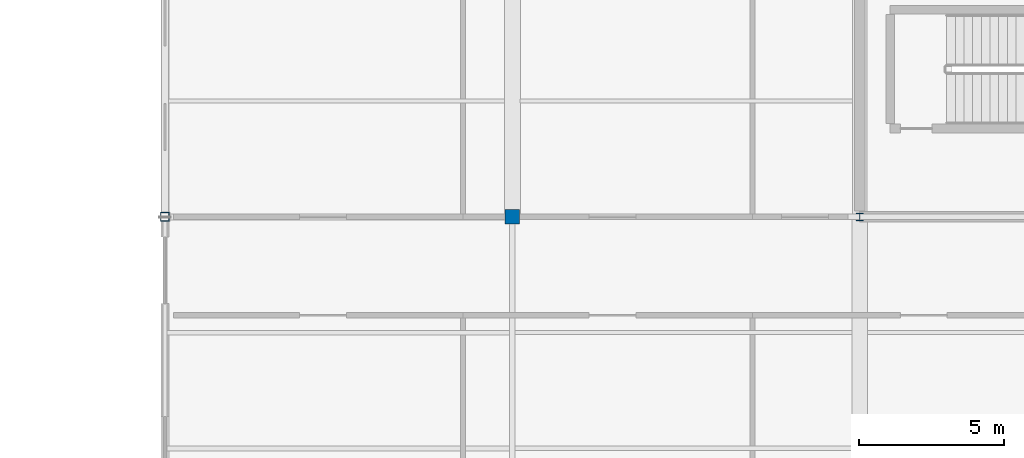
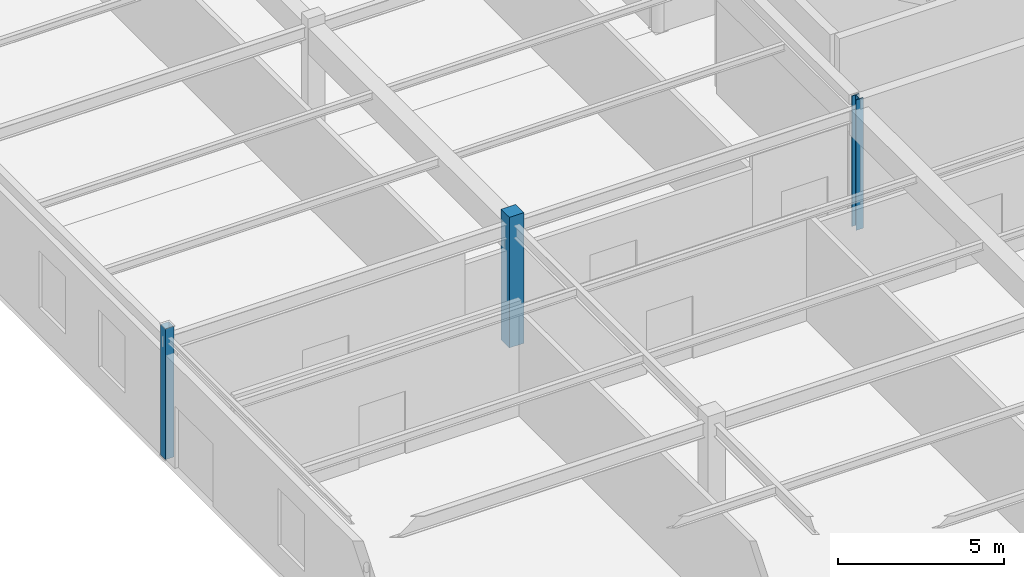
# One storey, part 20 of 199: 3 columns.
"""IFC4 building model written with IfcOpenShell, lengths in metres."""

import ifcopenshell
import ifcopenshell.guid

model = None  # the IFC model being written
_history = None  # IfcOwnerHistory: only IFC2X3 demands one
_inside = {}  # id of a spatial element -> (the spatial element, [elements in it])
_under = {}  # id of a project, library or spatial element -> (it, [spatial elements below it])
_declared = {}  # id of a project -> (the project, [libraries it declares])
_typed = {}  # id of a type object -> (the type object, [elements of that type])
_made_of = {}  # id of a material, layer set ... -> (it, [elements and type objects made of it])


def new_model(schema):
    """Start an empty IFC model of exactly this schema.

    Asked for "IFC4X3", IfcOpenShell would pick the latest addendum, in which some entities
    have other attributes; the version numbers below select the first issue.
    IFC2X3 requires an IfcOwnerHistory on every rooted entity: one is made here for all.
    """
    global model, _history
    if schema == "IFC4X3":
        model = ifcopenshell.file(schema_version=(4, 3, 0, 0))
    else:
        model = ifcopenshell.file(schema=schema)
    _inside.clear()
    _under.clear()
    _declared.clear()
    _typed.clear()
    _made_of.clear()
    _history = None
    if model.schema == "IFC2X3":
        org = make("IfcOrganization", Name="unknown")
        user = make(
            "IfcPersonAndOrganization",
            ThePerson=make("IfcPerson", FamilyName="unknown"),
            TheOrganization=org,
        )
        app = make(
            "IfcApplication",
            ApplicationDeveloper=org,
            Version="unknown",
            ApplicationFullName="unknown",
            ApplicationIdentifier="unknown",
        )
        _history = make(
            "IfcOwnerHistory",
            OwningUser=user,
            OwningApplication=app,
            ChangeAction="ADDED",
            CreationDate=0,
        )
    return model


def make(cls, **values):
    """One entity of the class cls with the attributes given. An attribute that is None is left unset."""
    return model.create_entity(
        cls, **{name: value for name, value in values.items() if value is not None}
    )


def rooted(cls, **values):
    """An entity with a GlobalId (a new one), such as an element, a storey or a relation."""
    return make(cls, GlobalId=ifcopenshell.guid.new(), OwnerHistory=_history, **values)


def si_unit(unit_type, name, prefix=None):
    """IfcSIUnit, for example si_unit("LENGTHUNIT", "METRE", prefix="MILLI")."""
    return make("IfcSIUnit", UnitType=unit_type, Prefix=prefix, Name=name)


def assignment(units):
    """IfcUnitAssignment: the units of a project."""
    return None if units is None else make("IfcUnitAssignment", Units=units)


def point(xyz):
    """IfcCartesianPoint."""
    return None if xyz is None else make("IfcCartesianPoint", Coordinates=xyz)


def direction(xyz):
    """IfcDirection."""
    return None if xyz is None else make("IfcDirection", DirectionRatios=xyz)


def frame(location, z_axis=None, x_axis=None):
    """IfcAxis2Placement3D, a coordinate frame: its origin and axes. An axis left out is left unset."""
    return make(
        "IfcAxis2Placement3D",
        Location=point(location),
        Axis=direction(z_axis),
        RefDirection=direction(x_axis),
    )


def frame_2d(location, x_axis=None):
    """IfcAxis2Placement2D, a coordinate frame in the plane: its origin and x axis."""
    return make(
        "IfcAxis2Placement2D", Location=point(location), RefDirection=direction(x_axis)
    )


def origin():
    """The frame at (0, 0, 0) with its axes left unset."""
    return frame((0.0, 0.0, 0.0))


def origin_2d():
    """The frame at (0, 0) in the plane with its x axis left unset."""
    return frame_2d((0.0, 0.0))


def place(relative_to, where):
    """IfcLocalPlacement: puts the frame where relative to a parent placement (None: the world)."""
    return make(
        "IfcLocalPlacement", PlacementRelTo=relative_to, RelativePlacement=where
    )


def context(
    kind, dimensions, precision=None, world=None, true_north=None, identifier=None
):
    """IfcGeometricRepresentationContext, for example the 3D "Model" context."""
    return make(
        "IfcGeometricRepresentationContext",
        ContextIdentifier=identifier,
        ContextType=kind,
        CoordinateSpaceDimension=dimensions,
        Precision=precision,
        WorldCoordinateSystem=world,
        TrueNorth=true_north,
    )


def subcontext(parent, identifier, kind, view, scale=None):
    """IfcGeometricRepresentationSubContext, for example "Body" below "Model"."""
    return make(
        "IfcGeometricRepresentationSubContext",
        ContextIdentifier=identifier,
        ContextType=kind,
        ParentContext=parent,
        TargetScale=scale,
        TargetView=view,
    )


def project(units=None, contexts=None):
    """IfcProject with its units and contexts."""
    return rooted(
        "IfcProject",
        Name="project",
        RepresentationContexts=contexts,
        UnitsInContext=assignment(units),
    )


def spatial(cls, under=None, at=None, **own):
    """A site, building, storey or space (cls), placed at a placement, below another one or the project."""
    s = rooted(cls, ObjectPlacement=at, **own)
    if under is not None:
        _under.setdefault(under.id(), (under, []))[1].append(s)
    return s


def profile(cls, at=None, kind="AREA", **sizes):
    """A parametric profile (cls). Its sizes go by their IFC names, for example OverallWidth=200.0."""
    return make(cls, ProfileType=kind, Position=at, **sizes)


def rectangle(**sizes):
    """IfcRectangleProfileDef."""
    return profile("IfcRectangleProfileDef", **sizes)


def hollow_rectangle(**sizes):
    """IfcRectangleHollowProfileDef."""
    return profile("IfcRectangleHollowProfileDef", **sizes)


def i_section(**sizes):
    """IfcIShapeProfileDef."""
    return profile("IfcIShapeProfileDef", **sizes)


def extrude(swept, where, along, depth):
    """IfcExtrudedAreaSolid: the profile swept, set in the frame where, extruded along a direction by depth."""
    return make(
        "IfcExtrudedAreaSolid",
        SweptArea=swept,
        Position=where,
        ExtrudedDirection=direction(along),
        Depth=depth,
    )


def shape(context_of_items, identifier, shape_type, items):
    """IfcShapeRepresentation: the items that make up one representation, for example the "Body"."""
    return make(
        "IfcShapeRepresentation",
        ContextOfItems=context_of_items,
        RepresentationIdentifier=identifier,
        RepresentationType=shape_type,
        Items=items,
    )


def material(Name=None, Category=None):
    """IfcMaterial."""
    return make("IfcMaterial", Name=Name, Category=Category)


def material_profile(
    of_material, cross_section, Name=None, Category=None, Priority=None
):
    """IfcMaterialProfile: a cross section and its material."""
    return make(
        "IfcMaterialProfile",
        Name=Name,
        Material=of_material,
        Profile=cross_section,
        Priority=Priority,
        Category=Category,
    )


def profile_set(profiles, Name=None, composite=None):
    """IfcMaterialProfileSet."""
    return make(
        "IfcMaterialProfileSet",
        Name=Name,
        MaterialProfiles=profiles,
        CompositeProfile=composite,
    )


def made_of(thing, what):
    """Note that an element or type object is made of a material, layer set ...; save() writes the relation."""
    if what is not None:
        _made_of.setdefault(what.id(), (what, []))[1].append(thing)
    return thing


def type_object(cls, material=None, **own):
    """A type object (cls), such as IfcWallType, which elements share."""
    return made_of(rooted(cls, **own), material)


def element(
    cls,
    number,
    at=None,
    inside=None,
    cuts=None,
    type_object=None,
    material=None,
    context=None,
    identifier="Body",
    shape_type=None,
    held_by="IfcProductDefinitionShape",
    body=None,
    shapes=None,
    **own,
):
    """One element of the class cls, such as IfcWall. Its Tag is "e" and its number.

    at: its placement. inside: the storey or other place that contains it. cuts: it is an
    opening in that element (IfcRelVoidsElement). A single representation is given by context,
    identifier, shape_type and body (its items); several are given by shapes. held_by: the class
    of the entity that holds the representations. save() writes the other relations.
    """
    e = rooted(cls, Tag="e%d" % number, ObjectPlacement=at, **own)
    if body is not None:
        shapes = [shape(context, identifier, shape_type, body)]
    if shapes is not None:
        e.Representation = make(held_by, Representations=shapes)
    if inside is not None:
        _inside.setdefault(inside.id(), (inside, []))[1].append(e)
    if cuts is not None:
        rooted(
            "IfcRelVoidsElement", RelatingBuildingElement=cuts, RelatedOpeningElement=e
        )
    if type_object is not None:
        _typed.setdefault(type_object.id(), (type_object, []))[1].append(e)
    return made_of(e, material)


def aggregate(whole, parts):
    """IfcRelAggregates: a whole, such as a stair, and the parts it consists of."""
    return rooted("IfcRelAggregates", RelatingObject=whole, RelatedObjects=parts)


def save(model, path):
    """Write the relations noted so far, then the file.

    IfcRelAggregates (storeys below a building ...), IfcRelContainedInSpatialStructure (elements
    in a storey), IfcRelDefinesByType, IfcRelAssociatesMaterial and IfcRelDeclares: one each for
    every whole, place, type object, material and project.
    """
    for whole, parts in _under.values():
        aggregate(whole, parts)
    for where, things in _inside.values():
        rooted(
            "IfcRelContainedInSpatialStructure",
            RelatedElements=things,
            RelatingStructure=where,
        )
    for kind, things in _typed.values():
        rooted("IfcRelDefinesByType", RelatedObjects=things, RelatingType=kind)
    for what, things in _made_of.values():
        rooted("IfcRelAssociatesMaterial", RelatedObjects=things, RelatingMaterial=what)
    for by, libraries in _declared.values():
        rooted("IfcRelDeclares", RelatingContext=by, RelatedDefinitions=libraries)
    model.write(path)


model = new_model("IFC4")

# Units and contexts
model_context = context("Model", 3, precision=1e-05, world=origin(), true_north=direction((0.0, 1.0)))
body_context = subcontext(model_context, "Body", "Model", "MODEL_VIEW")
ifc_project = project(units=[si_unit("LENGTHUNIT", "METRE"), si_unit("AREAUNIT", "SQUARE_METRE"), si_unit("VOLUMEUNIT", "CUBIC_METRE"), si_unit("PLANEANGLEUNIT", "RADIAN"), si_unit("MASSUNIT", "GRAM", prefix="KILO")], contexts=[model_context])

# Site, building, storey
site_placement = place(None, origin())
site = spatial("IfcSite", under=ifc_project, at=site_placement, CompositionType="ELEMENT")
building_placement = place(site_placement, origin())
building = spatial("IfcBuilding", under=site, at=building_placement, Name="Tarnwether General Hospital", CompositionType="ELEMENT")
storey_placement = place(building_placement, origin())
storey = spatial("IfcBuildingStorey", under=building, at=storey_placement, Name="L00", CompositionType="ELEMENT", Elevation=0.0)

# Columns
ifc_material_1 = material(Name="Steel Grade 350 (350 MPa)", Category="steel")
ifc_material_profile_1 = material_profile(ifc_material_1, i_section(OverallWidth=0.256103515625, OverallDepth=0.260009765625, WebThickness=0.010498046875, FlangeThickness=0.017333984375, at=origin_2d()), Name="250UC89.5")
ifc_profile_set_1 = profile_set([ifc_material_profile_1], Name="Steel Grade 350 (350 MPa)")
column_type_1 = type_object("IfcColumnType", Name="COL-09", PredefinedType="COLUMN", material=ifc_profile_set_1)
column_1_placement = place(storey_placement, frame((24.0, 69.60009765625, 0.0), z_axis=(0.0, 0.0, 1.0), x_axis=(1.0, 0.0, 0.0)))
element("IfcColumn", 1, at=column_1_placement, inside=storey, type_object=column_type_1, Name="Column COLG-L00-2400_6960", PredefinedType="COLUMN", context=body_context, shape_type="SweptSolid", body=[
    extrude(i_section(OverallWidth=0.256103515625, OverallDepth=0.260009765625, WebThickness=0.010498046875, FlangeThickness=0.017333984375, at=origin_2d()), origin(), (0.0, 0.0, 1.0), 4.800048828125),
])
ifc_material_2 = material(Name="Concrete 50 MPa", Category="concrete")
ifc_material_profile_2 = material_profile(ifc_material_2, rectangle(XDim=0.5, YDim=0.5, at=origin_2d()), Name="RC-COL-500x500")
ifc_profile_set_2 = profile_set([ifc_material_profile_2], Name="Concrete 50 MPa")
column_type_2 = type_object("IfcColumnType", Name="COL-20", PredefinedType="COLUMN", material=ifc_profile_set_2)
column_2_placement = place(storey_placement, frame((12.0, 69.60009765625, 0.0), z_axis=(0.0, 0.0, 1.0), x_axis=(0.0, 1.0, 0.0)))
element("IfcColumn", 2, at=column_2_placement, inside=storey, type_object=column_type_2, Name="Column COLG-L00-1200_6960", PredefinedType="COLUMN", context=body_context, shape_type="SweptSolid", body=[
    extrude(rectangle(XDim=0.5, YDim=0.5, at=origin_2d()), origin(), (0.0, 0.0, 1.0), 4.800048828125),
])
ifc_material_3 = material(Name="Steel Grade C350L0 (350 MPa)", Category="steel")
ifc_material_profile_3 = material_profile(ifc_material_3, hollow_rectangle(XDim=0.300048828125, YDim=0.300048828125, WallThickness=0.012451171875, at=origin_2d()), Name="SHS300x300x12.5")
ifc_profile_set_3 = profile_set([ifc_material_profile_3], Name="Steel Grade C350L0 (350 MPa)")
column_type_3 = type_object("IfcColumnType", Name="COL-30", PredefinedType="COLUMN", material=ifc_profile_set_3)
column_3_placement = place(storey_placement, frame((0.0, 69.60009765625, 0.0), z_axis=(0.0, 0.0, 1.0), x_axis=(1.0, 0.0, 0.0)))
element("IfcColumn", 3, at=column_3_placement, inside=storey, type_object=column_type_3, Name="Column COLG-L00-0_6960", PredefinedType="COLUMN", context=body_context, shape_type="SweptSolid", body=[
    extrude(hollow_rectangle(XDim=0.300048828125, YDim=0.300048828125, WallThickness=0.012451171875, at=origin_2d()), origin(), (0.0, 0.0, 1.0), 4.800048828125),
])

save(model, "model.ifc")
